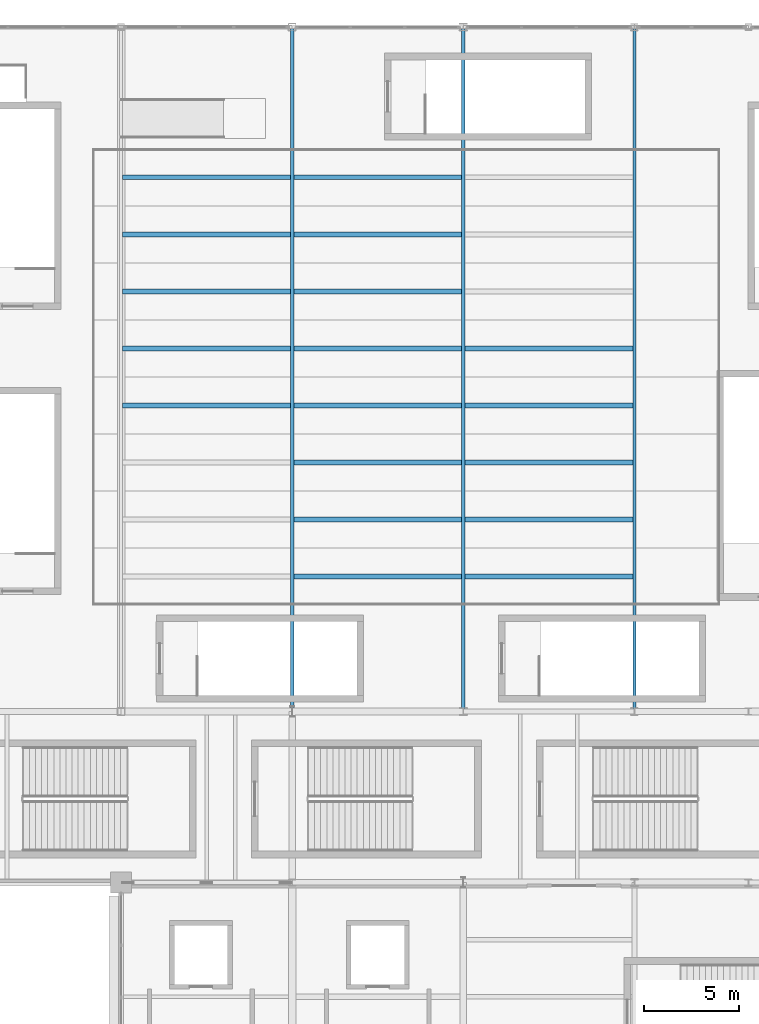
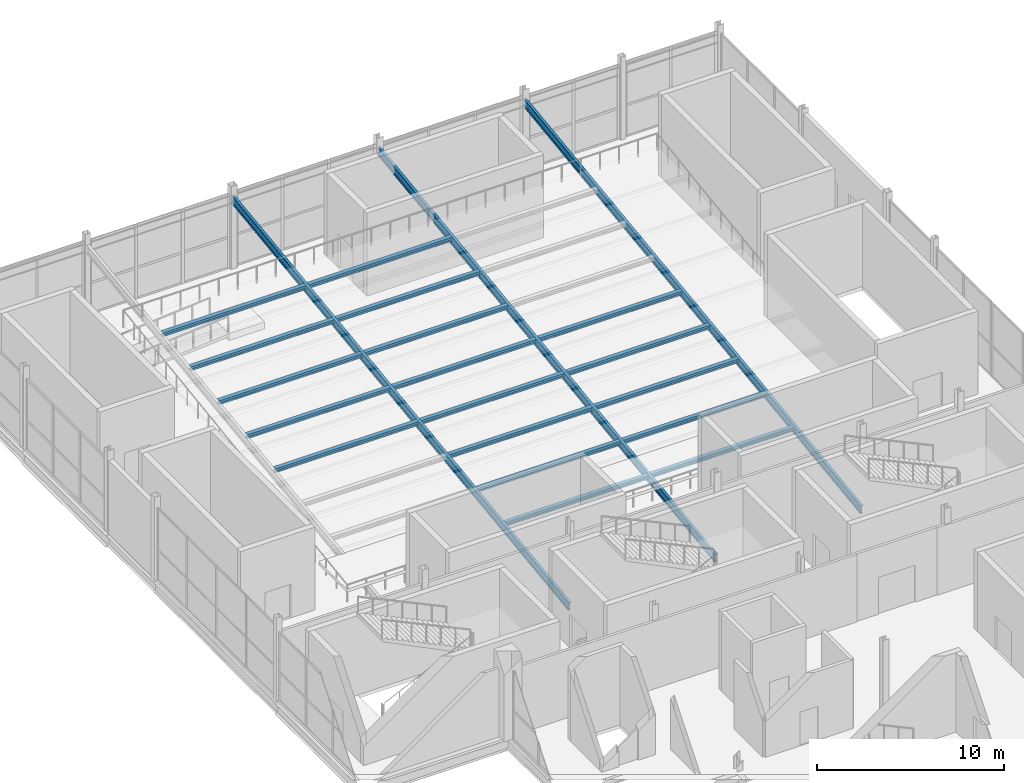
# One storey, part 61 of 119: 21 beams.
"""IFC4 building model written with IfcOpenShell, lengths in metres."""

from ifc_helpers import new_model, si_unit, direction, frame, origin, origin_2d, place, context, subcontext, project, spatial, i_section, extrude, material, material_profile, profile_set, type_object, element, save


model = new_model("IFC4")

# Units and contexts
model_context = context("Model", 3, precision=1e-05, world=origin(), true_north=direction((0.0, 1.0)))
body_context = subcontext(model_context, "Body", "Model", "MODEL_VIEW")
ifc_project = project(units=[si_unit("LENGTHUNIT", "METRE"), si_unit("AREAUNIT", "SQUARE_METRE"), si_unit("VOLUMEUNIT", "CUBIC_METRE"), si_unit("PLANEANGLEUNIT", "RADIAN"), si_unit("MASSUNIT", "GRAM", prefix="KILO")], contexts=[model_context])

# Site, building, storey
site_placement = place(None, origin())
site = spatial("IfcSite", under=ifc_project, at=site_placement, CompositionType="ELEMENT")
building_placement = place(site_placement, origin())
building = spatial("IfcBuilding", under=site, at=building_placement, Name="Qamarlyn Nura Convention Centre", CompositionType="ELEMENT")
storey_placement = place(building_placement, frame((0.0, 0.0, 5.39990234375)))
storey = spatial("IfcBuildingStorey", under=building, at=storey_placement, Name="L01", CompositionType="ELEMENT", Elevation=5.39990234375)

# Beams
ifc_material = material(Name="Steel ASTM A992", Category="steel")
ifc_material_profile_1 = material_profile(ifc_material, i_section(OverallWidth=0.25390625, OverallDepth=0.2529296875, WebThickness=0.008544921875, FlangeThickness=0.01416015625, FilletRadius=0.012939453125, at=origin_2d()), Name="W250X73")
ifc_profile_set_1 = profile_set([ifc_material_profile_1], Name="Steel ASTM A992")
beam_type_1 = type_object("IfcBeamType", Name="BM-PURL-250", PredefinedType="BEAM", material=ifc_profile_set_1)
for number, where, z_axis, x_axis, name in (
    (1, (162.0830078125, 97.10009765625, 0.77685546875), (1.0, 0.0, 0.0), (0.0, 1.0, 0.0), "Plenary tier cross beam 1-162"),
    (2, (171.0830078125, 97.10009765625, 0.77685546875), (1.0, 0.0, 0.0), (0.0, 1.0, 0.0), "Plenary tier cross beam 1-171"),
    (3, (162.0830078125, 100.10009765625, 1.172607421875), (1.0, 0.0, 0.0), (0.0, 1.0, 0.0), "Plenary tier cross beam 2-162"),
    (4, (171.0830078125, 100.10009765625, 1.172607421875), (1.0, 0.0, 0.0), (0.0, 1.0, 0.0), "Plenary tier cross beam 2-171"),
    (5, (162.0830078125, 103.10009765625, 1.568603515625), (1.0, 0.0, 0.0), (0.0, 1.0, 0.0), "Plenary tier cross beam 3-162"),
    (6, (171.0830078125, 103.10009765625, 1.568603515625), (1.0, 0.0, 0.0), (0.0, 1.0, 0.0), "Plenary tier cross beam 3-171"),
    (7, (153.0830078125, 106.10009765625, 1.96435546875), (1.0, 0.0, 0.0), (0.0, 1.0, 0.0), "Plenary tier cross beam 4-153"),
    (8, (162.0830078125, 106.10009765625, 1.96435546875), (1.0, 0.0, 0.0), (0.0, 1.0, 0.0), "Plenary tier cross beam 4-162"),
    (9, (171.0830078125, 106.10009765625, 1.96435546875), (1.0, 0.0, 0.0), (0.0, 1.0, 0.0), "Plenary tier cross beam 4-171"),
    (10, (153.0830078125, 109.10009765625, 2.360107421875), (1.0, 0.0, 0.0), (0.0, 1.0, 0.0), "Plenary tier cross beam 5-153"),
    (11, (162.0830078125, 109.10009765625, 2.360107421875), (1.0, 0.0, 0.0), (0.0, 1.0, 0.0), "Plenary tier cross beam 5-162"),
    (12, (171.0830078125, 109.10009765625, 2.360107421875), (1.0, 0.0, 0.0), (0.0, 1.0, 0.0), "Plenary tier cross beam 5-171"),
    (13, (153.0830078125, 112.10009765625, 2.756103515625), (1.0, 0.0, 0.0), (0.0, 1.0, 0.0), "Plenary tier cross beam 6-153"),
    (14, (162.0830078125, 112.10009765625, 2.756103515625), (1.0, 0.0, 0.0), (0.0, 1.0, 0.0), "Plenary tier cross beam 6-162"),
    (15, (153.0830078125, 115.10009765625, 3.15185546875), (1.0, 0.0, 0.0), (0.0, 1.0, 0.0), "Plenary tier cross beam 7-153"),
    (16, (162.0830078125, 115.10009765625, 3.15185546875), (1.0, 0.0, 0.0), (0.0, 1.0, 0.0), "Plenary tier cross beam 7-162"),
    (17, (153.0830078125, 118.10009765625, 3.547607421875), (1.0, 0.0, 0.0), (0.0, 1.0, 0.0), "Plenary tier cross beam 8-153"),
    (18, (162.0830078125, 118.10009765625, 3.547607421875), (1.0, 0.0, 0.0), (0.0, 1.0, 0.0), "Plenary tier cross beam 8-162"),
):
    element("IfcBeam", number, at=place(storey_placement, frame(where, z_axis=z_axis, x_axis=x_axis)), inside=storey, type_object=beam_type_1, Name=name, PredefinedType="BEAM", context=body_context, shape_type="SweptSolid", body=[
        extrude(i_section(OverallWidth=0.25390625, OverallDepth=0.2529296875, WebThickness=0.008544921875, FlangeThickness=0.01416015625, FilletRadius=0.012939453125, at=origin_2d()), origin(), (0.0, 0.0, 1.0), 8.833984375),
    ])
ifc_material_profile_2 = material_profile(ifc_material, i_section(OverallWidth=0.166015625, OverallDepth=0.534912109375, WebThickness=0.01025390625, FlangeThickness=0.0166015625, FilletRadius=0.013916015625, at=origin_2d()), Name="W530X85")
ifc_profile_set_2 = profile_set([ifc_material_profile_2], Name="Steel ASTM A992")
beam_type_2 = type_object("IfcBeamType", Name="BM-RAKER-01", PredefinedType="BEAM", material=ifc_profile_set_2)
for number, where, z_axis, x_axis, name in (
    (19, (162.0, 90.0, -0.2998046875), (0.0, 0.991407364485, 0.130810693925), (-1.0, 0.0, 0.0), "RAKER Plenary stand beam X162"),
    (20, (171.0, 90.0, -0.2998046875), (0.0, 0.991407364485, 0.130810693925), (-1.0, 0.0, 0.0), "RAKER Plenary stand beam X171"),
    (21, (180.0, 90.0, -0.2998046875), (0.0, 0.991407364485, 0.130810693925), (-1.0, 0.0, 0.0), "RAKER Plenary stand beam X180"),
):
    element("IfcBeam", number, at=place(storey_placement, frame(where, z_axis=z_axis, x_axis=x_axis)), inside=storey, type_object=beam_type_2, Name=name, PredefinedType="BEAM", context=body_context, shape_type="SweptSolid", body=[
        extrude(i_section(OverallWidth=0.166015625, OverallDepth=0.534912109375, WebThickness=0.01025390625, FlangeThickness=0.0166015625, FilletRadius=0.013916015625, at=origin_2d()), origin(), (0.0, 0.0, 1.0), 36.31201171875),
    ])

save(model, "model.ifc")
